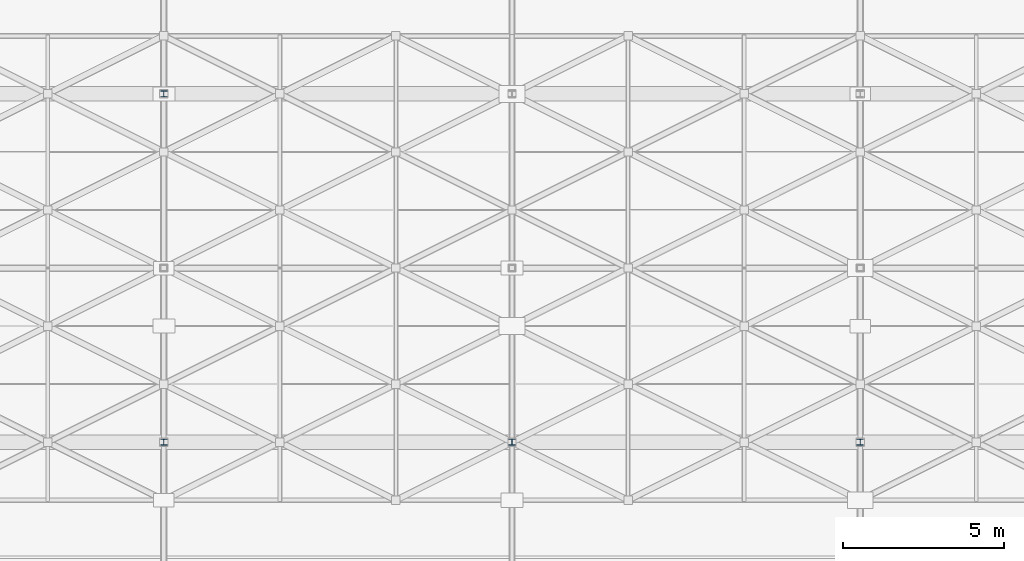
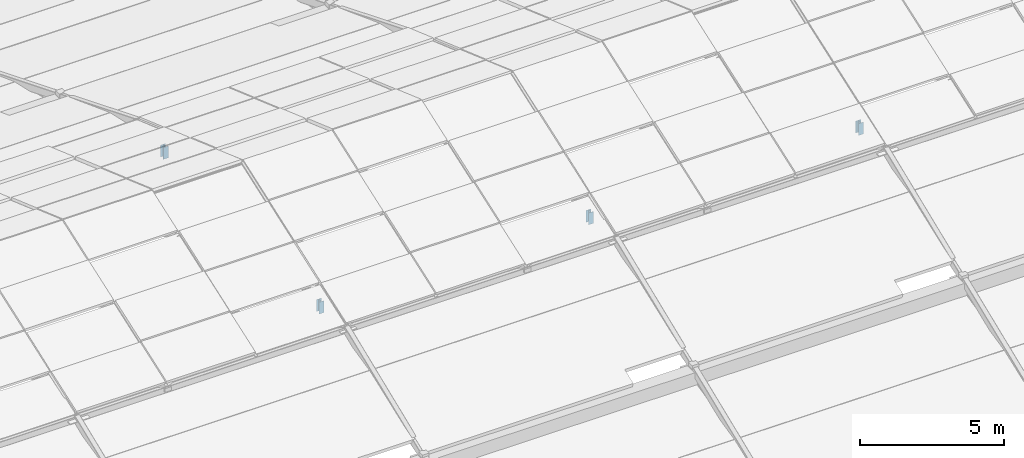
# One storey, part 90 of 112: 4 members.
"""IFC4 building model written with IfcOpenShell, lengths in metres."""

from ifc_helpers import new_model, si_unit, direction, frame, origin, origin_2d, place, context, subcontext, project, spatial, i_section, extrude, material, material_profile, profile_set, type_object, element, save


model = new_model("IFC4")

# Units and contexts
model_context = context("Model", 3, precision=1e-05, world=origin(), true_north=direction((0.0, 1.0)))
body_context = subcontext(model_context, "Body", "Model", "MODEL_VIEW")
ifc_project = project(units=[si_unit("LENGTHUNIT", "METRE"), si_unit("AREAUNIT", "SQUARE_METRE"), si_unit("VOLUMEUNIT", "CUBIC_METRE"), si_unit("PLANEANGLEUNIT", "RADIAN"), si_unit("MASSUNIT", "GRAM", prefix="KILO")], contexts=[model_context])

# Site, building, storey
site_placement = place(None, origin())
site = spatial("IfcSite", under=ifc_project, at=site_placement, CompositionType="ELEMENT")
building_placement = place(site_placement, origin())
building = spatial("IfcBuilding", under=site, at=building_placement, Name="Zwinboog Wholesale Market", CompositionType="ELEMENT")
storey_placement = place(building_placement, frame((0.0, 0.0, 19.080078125)))
storey = spatial("IfcBuildingStorey", under=building, at=storey_placement, Name="Roof", CompositionType="ELEMENT", Elevation=19.080078125)

# Members
ifc_material = material(Name="Steel S355", Category="steel")
ifc_material_profile = material_profile(ifc_material, i_section(OverallWidth=0.199951171875, OverallDepth=0.18994140625, WebThickness=0.006591796875, FlangeThickness=0.010009765625, FilletRadius=0.01806640625, at=origin_2d()), Name="HEA 200")
ifc_profile_set = profile_set([ifc_material_profile], Name="Steel S355")
member_type = type_object("IfcMemberType", Name="MT-05", PredefinedType="BRACE", material=ifc_profile_set)
for number, where, z_axis, x_axis, name in (
    (1, (129.60009765625, 70.199951171875, 0.219970703125), (0.0, 0.0, 1.0), (1.0, 0.0, 0.0), "DB-02 (MEM-Roof-0192)"),
    (2, (129.60009765625, 81.0, 0.219970703125), (0.0, 0.0, 1.0), (1.0, 0.0, 0.0), "DB-02 (MEM-Roof-0205)"),
    (3, (140.39990234375, 70.199951171875, 0.219970703125), (0.0, 0.0, 1.0), (1.0, 0.0, 0.0), "DB-02 (MEM-Roof-0222)"),
    (4, (151.199951171875, 70.199951171875, 0.219970703125), (0.0, 0.0, 1.0), (1.0, 0.0, 0.0), "DB-02 (MEM-Roof-0252)"),
):
    element("IfcMember", number, at=place(storey_placement, frame(where, z_axis=z_axis, x_axis=x_axis)), inside=storey, type_object=member_type, Name=name, PredefinedType="BRACE", context=body_context, shape_type="SweptSolid", body=[
        extrude(i_section(OverallWidth=0.199951171875, OverallDepth=0.18994140625, WebThickness=0.006591796875, FlangeThickness=0.010009765625, FilletRadius=0.01806640625, at=origin_2d()), origin(), (0.0, 0.0, 1.0), 0.5),
    ])

save(model, "model.ifc")
